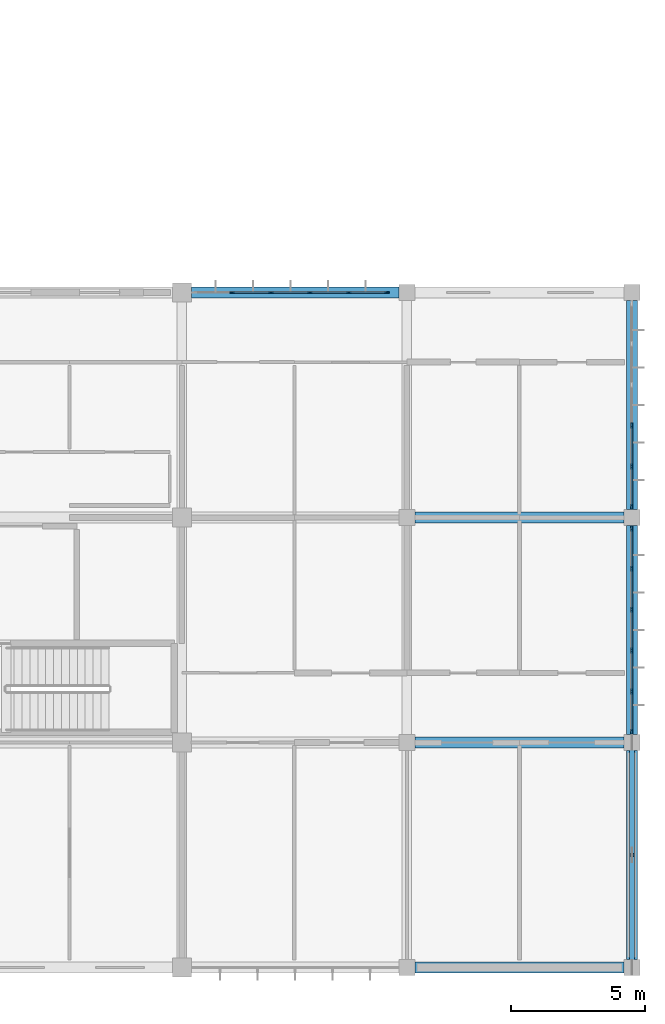
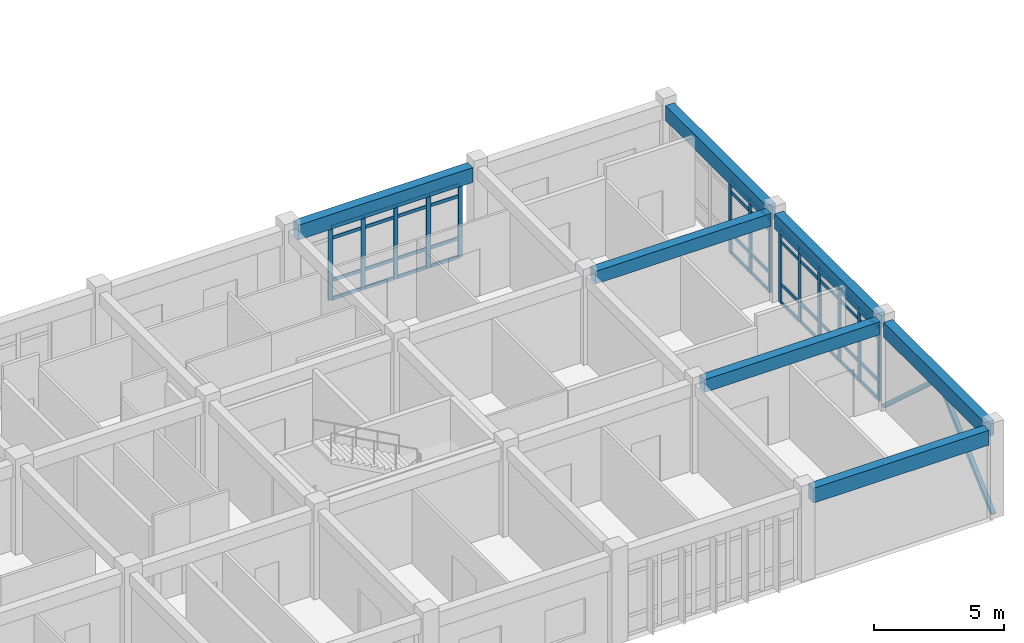
# One storey, part 60 of 144: 60 members, 7 beams, 3 elements without a shape of their own.
"""IFC4 building model written with IfcOpenShell, lengths in metres."""

from ifc_helpers import new_model, si_unit, direction, frame, origin, origin_2d, place, context, subcontext, project, spatial, rectangle, hollow_rectangle, extrude, material, layer, layer_set, material_profile, profile_set, type_object, element, aggregate, save


model = new_model("IFC4")

# Units and contexts
model_context = context("Model", 3, precision=1e-05, world=origin(), true_north=direction((0.0, 1.0)))
body_context = subcontext(model_context, "Body", "Model", "MODEL_VIEW")
ifc_project = project(units=[si_unit("LENGTHUNIT", "METRE"), si_unit("AREAUNIT", "SQUARE_METRE"), si_unit("VOLUMEUNIT", "CUBIC_METRE"), si_unit("PLANEANGLEUNIT", "RADIAN"), si_unit("MASSUNIT", "GRAM", prefix="KILO")], contexts=[model_context])

# Site, building, storey
site_placement = place(None, origin())
site = spatial("IfcSite", under=ifc_project, at=site_placement, CompositionType="ELEMENT")
building_placement = place(site_placement, origin())
building = spatial("IfcBuilding", under=site, at=building_placement, Name="Bramfleet General Hospital", CompositionType="ELEMENT")
storey_placement = place(building_placement, frame((0.0, 0.0, 4.800048828125)))
storey = spatial("IfcBuildingStorey", under=building, at=storey_placement, Name="L01", CompositionType="ELEMENT", Elevation=4.800048828125)

# Beams
ifc_material_1 = material(Name="Concrete C35/45", Category="concrete")
ifc_material_profile_1 = material_profile(ifc_material_1, rectangle(XDim=0.39990234375, YDim=0.60009765625, at=origin_2d()), Name="RC BM 600x400")
ifc_profile_set_1 = profile_set([ifc_material_profile_1], Name="Concrete C35/45")
beam_type_1 = type_object("IfcBeamType", Name="BM-RC600", PredefinedType="BEAM", material=ifc_profile_set_1)
for number, where, z_axis, x_axis, name in (
    (1, (159.89990234375, 8.39990234375, 3.849853515625), (1.0, 0.0, 0.0), (0.0, 1.0, 0.0), "L01 Grid Beam X 19-01"),
    (2, (159.89990234375, 16.800048828125, 3.849853515625), (1.0, 0.0, 0.0), (0.0, 1.0, 0.0), "L01 Grid Beam X 19-02"),
):
    element("IfcBeam", number, at=place(storey_placement, frame(where, z_axis=z_axis, x_axis=x_axis)), inside=storey, type_object=beam_type_1, Name=name, PredefinedType="BEAM", context=body_context, shape_type="SweptSolid", body=[
        extrude(rectangle(XDim=0.39990234375, YDim=0.60009765625, at=origin_2d()), origin(), (0.0, 0.0, 1.0), 7.800048828125),
    ])
ifc_material_profile_2 = material_profile(ifc_material_1, rectangle(XDim=0.39990234375, YDim=0.699951171875, at=origin_2d()), Name="RC SP 700x400")
ifc_profile_set_2 = profile_set([ifc_material_profile_2], Name="Concrete C35/45")
beam_type_2 = type_object("IfcBeamType", Name="BM-SP700", PredefinedType="SPANDREL", material=ifc_profile_set_2)
beam_1_placement = place(storey_placement, frame((151.550048828125, 25.199951171875, 3.800048828125), z_axis=(1.0, 0.0, 0.0), x_axis=(0.0, 1.0, 0.0)))
element("IfcBeam", 3, at=beam_1_placement, inside=storey, type_object=beam_type_2, Name="L01 Grid Beam X 18-03", PredefinedType="SPANDREL", context=body_context, shape_type="SweptSolid", body=[
    extrude(rectangle(XDim=0.39990234375, YDim=0.699951171875, at=origin_2d()), origin(), (0.0, 0.0, 1.0), 7.75),
])
for number, where, z_axis, x_axis, name in (
    (4, (159.89990234375, 0.0, 3.800048828125), (1.0, 0.0, 0.0), (0.0, 1.0, 0.0), "L01 Grid Beam X 19-00"),
    (5, (168.0, 0.300048828125, 3.800048828125), (0.0, 1.0, 0.0), (-1.0, 0.0, 0.0), "L01 Grid Beam Y 20-00"),
    (6, (168.0, 8.699951171875, 3.800048828125), (0.0, 1.0, 0.0), (-1.0, 0.0, 0.0), "L01 Grid Beam Y 20-01"),
):
    element("IfcBeam", number, at=place(storey_placement, frame(where, z_axis=z_axis, x_axis=x_axis)), inside=storey, type_object=beam_type_2, Name=name, PredefinedType="SPANDREL", context=body_context, shape_type="SweptSolid", body=[
        extrude(rectangle(XDim=0.39990234375, YDim=0.699951171875, at=origin_2d()), origin(), (0.0, 0.0, 1.0), 7.800048828125),
    ])
beam_2_placement = place(storey_placement, frame((168.0, 17.10009765625, 3.800048828125), z_axis=(0.0, 1.0, 0.0), x_axis=(-1.0, 0.0, 0.0)))
element("IfcBeam", 7, at=beam_2_placement, inside=storey, type_object=beam_type_2, Name="L01 Grid Beam Y 20-02", PredefinedType="SPANDREL", context=body_context, shape_type="SweptSolid", body=[
    extrude(rectangle(XDim=0.39990234375, YDim=0.699951171875, at=origin_2d()), origin(), (0.0, 0.0, 1.0), 7.7998046875),
])

# Curtain wall, members
ifc_material_2 = material(Name="Anodised aluminium and low-E triple glazing", Category="aluminium")
ifc_layer_1 = layer(ifc_material_2, 0.179931640625, Name="CWT-CW-15")
ifc_layer_set_1 = layer_set([ifc_layer_1], Name="Anodised aluminium and low-E triple glazing")
curtain_wall_type_1 = type_object("IfcCurtainWallType", Name="CWT-CW-15", PredefinedType="USERDEFINED", material=ifc_layer_set_1)
curtain_wall_1_placement = place(storey_placement, origin())
curtain_wall_1 = element("IfcCurtainWall", 8, at=curtain_wall_1_placement, inside=storey, type_object=curtain_wall_type_1, Name="L01 Curtain Wall 69", ObjectType="Stick curtain wall", PredefinedType="USERDEFINED")
ifc_material_3 = material(Name="Structural timber GL28h", Category="wood")
ifc_material_profile_3 = material_profile(ifc_material_3, rectangle(XDim=0.070068359375, YDim=0.18994140625, at=origin_2d()), Name="LARCH 190x70")
ifc_profile_set_3 = profile_set([ifc_material_profile_3], Name="Structural timber GL28h")
member_type_1 = type_object("IfcMemberType", Name="CWM-LARCH450", PredefinedType="MULLION", material=ifc_profile_set_3)
member_1_placement = place(storey_placement, frame((153.075927734375, 25.199951171875, 0.0), z_axis=(0.0, 0.0, 1.0), x_axis=(0.0, 1.0, 0.0)))
member_1 = element("IfcMember", 9, at=member_1_placement, type_object=member_type_1, Name="CW-15 mullion 2", PredefinedType="MULLION", context=body_context, shape_type="SweptSolid", body=[
    extrude(rectangle(XDim=0.070068359375, YDim=0.18994140625, at=origin_2d()), origin(), (0.0, 0.0, 1.0), 3.43994140625),
])
member_2_placement = place(storey_placement, frame((154.527099609375, 25.199951171875, 0.0), z_axis=(0.0, 0.0, 1.0), x_axis=(0.0, 1.0, 0.0)))
member_2 = element("IfcMember", 10, at=member_2_placement, type_object=member_type_1, Name="CW-15 mullion 3", PredefinedType="MULLION", context=body_context, shape_type="SweptSolid", body=[
    extrude(rectangle(XDim=0.070068359375, YDim=0.18994140625, at=origin_2d()), origin(), (0.0, 0.0, 1.0), 3.43994140625),
])
member_3_placement = place(storey_placement, frame((155.97802734375, 25.199951171875, 0.0), z_axis=(0.0, 0.0, 1.0), x_axis=(0.0, 1.0, 0.0)))
member_3 = element("IfcMember", 11, at=member_3_placement, type_object=member_type_1, Name="CW-15 mullion 4", PredefinedType="MULLION", context=body_context, shape_type="SweptSolid", body=[
    extrude(rectangle(XDim=0.070068359375, YDim=0.18994140625, at=origin_2d()), origin(), (0.0, 0.0, 1.0), 3.43994140625),
])
member_4_placement = place(storey_placement, frame((157.428955078125, 25.199951171875, 0.0), z_axis=(0.0, 0.0, 1.0), x_axis=(0.0, 1.0, 0.0)))
member_4 = element("IfcMember", 12, at=member_4_placement, type_object=member_type_1, Name="CW-15 mullion 5", PredefinedType="MULLION", context=body_context, shape_type="SweptSolid", body=[
    extrude(rectangle(XDim=0.070068359375, YDim=0.18994140625, at=origin_2d()), origin(), (0.0, 0.0, 1.0), 3.43994140625),
])
member_5_placement = place(storey_placement, frame((158.844970703125, 25.199951171875, 0.0), z_axis=(0.0, 0.0, 1.0), x_axis=(0.0, 1.0, 0.0)))
member_5 = element("IfcMember", 13, at=member_5_placement, type_object=member_type_1, Name="CW-15 mullion 6", PredefinedType="MULLION", context=body_context, shape_type="SweptSolid", body=[
    extrude(rectangle(XDim=0.070068359375, YDim=0.18994140625, at=origin_2d()), origin(), (0.0, 0.0, 1.0), 3.43994140625),
])

ifc_layer_2 = layer(ifc_material_2, 0.179931640625, Name="CWT-CW-16")
ifc_layer_set_2 = layer_set([ifc_layer_2], Name="Anodised aluminium and low-E triple glazing")
curtain_wall_type_2 = type_object("IfcCurtainWallType", Name="CWT-CW-16", PredefinedType="USERDEFINED", material=ifc_layer_set_2)
curtain_wall_2_placement = place(storey_placement, origin())
curtain_wall_2 = element("IfcCurtainWall", 14, at=curtain_wall_2_placement, inside=storey, type_object=curtain_wall_type_2, Name="L01 Curtain Wall 70", ObjectType="Stick curtain wall", PredefinedType="USERDEFINED")
member_6_placement = place(storey_placement, frame((168.0, 20.235107421875, 0.0), z_axis=(0.0, 0.0, 1.0), x_axis=(1.0, 0.0, 0.0)))
member_6 = element("IfcMember", 15, at=member_6_placement, type_object=member_type_1, Name="CW-16 mullion 4", PredefinedType="MULLION", context=body_context, shape_type="SweptSolid", body=[
    extrude(rectangle(XDim=0.070068359375, YDim=0.18994140625, at=origin_2d()), origin(), (0.0, 0.0, 1.0), 3.43994140625),
])
member_7_placement = place(storey_placement, frame((168.0, 18.705078125, 0.0), z_axis=(0.0, 0.0, 1.0), x_axis=(1.0, 0.0, 0.0)))
member_7 = element("IfcMember", 16, at=member_7_placement, type_object=member_type_1, Name="CW-16 mullion 5", PredefinedType="MULLION", context=body_context, shape_type="SweptSolid", body=[
    extrude(rectangle(XDim=0.070068359375, YDim=0.18994140625, at=origin_2d()), origin(), (0.0, 0.0, 1.0), 3.43994140625),
])
member_8_placement = place(storey_placement, frame((168.0, 17.2099609375, 0.0), z_axis=(0.0, 0.0, 1.0), x_axis=(1.0, 0.0, 0.0)))
member_8 = element("IfcMember", 17, at=member_8_placement, type_object=member_type_1, Name="CW-16 mullion 6", PredefinedType="MULLION", context=body_context, shape_type="SweptSolid", body=[
    extrude(rectangle(XDim=0.070068359375, YDim=0.18994140625, at=origin_2d()), origin(), (0.0, 0.0, 1.0), 3.43994140625),
])

ifc_layer_3 = layer(ifc_material_2, 0.179931640625, Name="CWT-CW-17")
ifc_layer_set_3 = layer_set([ifc_layer_3], Name="Anodised aluminium and low-E triple glazing")
curtain_wall_type_3 = type_object("IfcCurtainWallType", Name="CWT-CW-17", PredefinedType="USERDEFINED", material=ifc_layer_set_3)
curtain_wall_3_placement = place(storey_placement, origin())
curtain_wall_3 = element("IfcCurtainWall", 18, at=curtain_wall_3_placement, inside=storey, type_object=curtain_wall_type_3, Name="L01 Curtain Wall 71", ObjectType="Stick curtain wall", PredefinedType="USERDEFINED")
member_9_placement = place(storey_placement, frame((168.0, 16.389892578125, 0.0), z_axis=(0.0, 0.0, 1.0), x_axis=(1.0, 0.0, 0.0)))
member_9 = element("IfcMember", 19, at=member_9_placement, type_object=member_type_1, Name="CW-17 mullion 1", PredefinedType="MULLION", context=body_context, shape_type="SweptSolid", body=[
    extrude(rectangle(XDim=0.070068359375, YDim=0.18994140625, at=origin_2d()), origin(), (0.0, 0.0, 1.0), 3.43994140625),
])
member_10_placement = place(storey_placement, frame((168.0, 14.89501953125, 0.0), z_axis=(0.0, 0.0, 1.0), x_axis=(1.0, 0.0, 0.0)))
member_10 = element("IfcMember", 20, at=member_10_placement, type_object=member_type_1, Name="CW-17 mullion 2", PredefinedType="MULLION", context=body_context, shape_type="SweptSolid", body=[
    extrude(rectangle(XDim=0.070068359375, YDim=0.18994140625, at=origin_2d()), origin(), (0.0, 0.0, 1.0), 3.43994140625),
])
member_11_placement = place(storey_placement, frame((168.0, 13.364990234375, 0.0), z_axis=(0.0, 0.0, 1.0), x_axis=(1.0, 0.0, 0.0)))
member_11 = element("IfcMember", 21, at=member_11_placement, type_object=member_type_1, Name="CW-17 mullion 3", PredefinedType="MULLION", context=body_context, shape_type="SweptSolid", body=[
    extrude(rectangle(XDim=0.070068359375, YDim=0.18994140625, at=origin_2d()), origin(), (0.0, 0.0, 1.0), 3.43994140625),
])
member_12_placement = place(storey_placement, frame((168.0, 11.8349609375, 0.0), z_axis=(0.0, 0.0, 1.0), x_axis=(1.0, 0.0, 0.0)))
member_12 = element("IfcMember", 22, at=member_12_placement, type_object=member_type_1, Name="CW-17 mullion 4", PredefinedType="MULLION", context=body_context, shape_type="SweptSolid", body=[
    extrude(rectangle(XDim=0.070068359375, YDim=0.18994140625, at=origin_2d()), origin(), (0.0, 0.0, 1.0), 3.43994140625),
])
member_13_placement = place(storey_placement, frame((168.0, 10.304931640625, 0.0), z_axis=(0.0, 0.0, 1.0), x_axis=(1.0, 0.0, 0.0)))
member_13 = element("IfcMember", 23, at=member_13_placement, type_object=member_type_1, Name="CW-17 mullion 5", PredefinedType="MULLION", context=body_context, shape_type="SweptSolid", body=[
    extrude(rectangle(XDim=0.070068359375, YDim=0.18994140625, at=origin_2d()), origin(), (0.0, 0.0, 1.0), 3.43994140625),
])
member_14_placement = place(storey_placement, frame((168.0, 8.81005859375, 0.0), z_axis=(0.0, 0.0, 1.0), x_axis=(1.0, 0.0, 0.0)))
member_14 = element("IfcMember", 24, at=member_14_placement, type_object=member_type_1, Name="CW-17 mullion 6", PredefinedType="MULLION", context=body_context, shape_type="SweptSolid", body=[
    extrude(rectangle(XDim=0.070068359375, YDim=0.18994140625, at=origin_2d()), origin(), (0.0, 0.0, 1.0), 3.43994140625),
])

# Member
ifc_material_profile_4 = material_profile(ifc_material_3, rectangle(XDim=0.06494140625, YDim=0.14990234375, at=origin_2d()), Name="LARCH 150x65")
ifc_profile_set_4 = profile_set([ifc_material_profile_4], Name="Structural timber GL28h")
member_type_2 = type_object("IfcMemberType", Name="CWT-LARCH220", PredefinedType="USERDEFINED", material=ifc_profile_set_4)
member_15_placement = place(storey_placement, frame((153.111083984375, 25.199951171875, 0.032470703125), z_axis=(1.0, 0.0, 0.0), x_axis=(0.0, 1.0, 0.0)))
member_15 = element("IfcMember", 25, at=member_15_placement, type_object=member_type_2, Name="CW-15 transom 2.1", ObjectType="TRANSOM", PredefinedType="USERDEFINED", context=body_context, shape_type="SweptSolid", body=[
    extrude(rectangle(XDim=0.06494140625, YDim=0.14990234375, at=origin_2d()), origin(), (0.0, 0.0, 1.0), 1.380859375),
])

member_16_placement = place(storey_placement, frame((153.111083984375, 25.199951171875, 0.89990234375), z_axis=(1.0, 0.0, 0.0), x_axis=(0.0, 1.0, 0.0)))
member_16 = element("IfcMember", 26, at=member_16_placement, type_object=member_type_2, Name="CW-15 transom 2.2", ObjectType="TRANSOM", PredefinedType="USERDEFINED", context=body_context, shape_type="SweptSolid", body=[
    extrude(rectangle(XDim=0.06494140625, YDim=0.14990234375, at=origin_2d()), origin(), (0.0, 0.0, 1.0), 1.380859375),
])

member_17_placement = place(storey_placement, frame((153.111083984375, 25.199951171875, 2.889892578125), z_axis=(1.0, 0.0, 0.0), x_axis=(0.0, 1.0, 0.0)))
member_17 = element("IfcMember", 27, at=member_17_placement, type_object=member_type_2, Name="CW-15 transom 2.3", ObjectType="TRANSOM", PredefinedType="USERDEFINED", context=body_context, shape_type="SweptSolid", body=[
    extrude(rectangle(XDim=0.06494140625, YDim=0.14990234375, at=origin_2d()), origin(), (0.0, 0.0, 1.0), 1.380859375),
])

member_18_placement = place(storey_placement, frame((153.111083984375, 25.199951171875, 3.407470703125), z_axis=(1.0, 0.0, 0.0), x_axis=(0.0, 1.0, 0.0)))
member_18 = element("IfcMember", 28, at=member_18_placement, type_object=member_type_2, Name="CW-15 transom 2.4", ObjectType="TRANSOM", PredefinedType="USERDEFINED", context=body_context, shape_type="SweptSolid", body=[
    extrude(rectangle(XDim=0.06494140625, YDim=0.14990234375, at=origin_2d()), origin(), (0.0, 0.0, 1.0), 1.380859375),
])

member_19_placement = place(storey_placement, frame((154.56201171875, 25.199951171875, 0.032470703125), z_axis=(1.0, 0.0, 0.0), x_axis=(0.0, 1.0, 0.0)))
member_19 = element("IfcMember", 29, at=member_19_placement, type_object=member_type_2, Name="CW-15 transom 3.1", ObjectType="TRANSOM", PredefinedType="USERDEFINED", context=body_context, shape_type="SweptSolid", body=[
    extrude(rectangle(XDim=0.06494140625, YDim=0.14990234375, at=origin_2d()), origin(), (0.0, 0.0, 1.0), 1.381103515625),
])

member_20_placement = place(storey_placement, frame((154.56201171875, 25.199951171875, 0.89990234375), z_axis=(1.0, 0.0, 0.0), x_axis=(0.0, 1.0, 0.0)))
member_20 = element("IfcMember", 30, at=member_20_placement, type_object=member_type_2, Name="CW-15 transom 3.2", ObjectType="TRANSOM", PredefinedType="USERDEFINED", context=body_context, shape_type="SweptSolid", body=[
    extrude(rectangle(XDim=0.06494140625, YDim=0.14990234375, at=origin_2d()), origin(), (0.0, 0.0, 1.0), 1.381103515625),
])

member_21_placement = place(storey_placement, frame((154.56201171875, 25.199951171875, 2.889892578125), z_axis=(1.0, 0.0, 0.0), x_axis=(0.0, 1.0, 0.0)))
member_21 = element("IfcMember", 31, at=member_21_placement, type_object=member_type_2, Name="CW-15 transom 3.3", ObjectType="TRANSOM", PredefinedType="USERDEFINED", context=body_context, shape_type="SweptSolid", body=[
    extrude(rectangle(XDim=0.06494140625, YDim=0.14990234375, at=origin_2d()), origin(), (0.0, 0.0, 1.0), 1.381103515625),
])

member_22_placement = place(storey_placement, frame((154.56201171875, 25.199951171875, 3.407470703125), z_axis=(1.0, 0.0, 0.0), x_axis=(0.0, 1.0, 0.0)))
member_22 = element("IfcMember", 32, at=member_22_placement, type_object=member_type_2, Name="CW-15 transom 3.4", ObjectType="TRANSOM", PredefinedType="USERDEFINED", context=body_context, shape_type="SweptSolid", body=[
    extrude(rectangle(XDim=0.06494140625, YDim=0.14990234375, at=origin_2d()), origin(), (0.0, 0.0, 1.0), 1.381103515625),
])

member_23_placement = place(storey_placement, frame((156.012939453125, 25.199951171875, 0.032470703125), z_axis=(1.0, 0.0, 0.0), x_axis=(0.0, 1.0, 0.0)))
member_23 = element("IfcMember", 33, at=member_23_placement, type_object=member_type_2, Name="CW-15 transom 4.1", ObjectType="TRANSOM", PredefinedType="USERDEFINED", context=body_context, shape_type="SweptSolid", body=[
    extrude(rectangle(XDim=0.06494140625, YDim=0.14990234375, at=origin_2d()), origin(), (0.0, 0.0, 1.0), 1.381103515625),
])

member_24_placement = place(storey_placement, frame((156.012939453125, 25.199951171875, 0.89990234375), z_axis=(1.0, 0.0, 0.0), x_axis=(0.0, 1.0, 0.0)))
member_24 = element("IfcMember", 34, at=member_24_placement, type_object=member_type_2, Name="CW-15 transom 4.2", ObjectType="TRANSOM", PredefinedType="USERDEFINED", context=body_context, shape_type="SweptSolid", body=[
    extrude(rectangle(XDim=0.06494140625, YDim=0.14990234375, at=origin_2d()), origin(), (0.0, 0.0, 1.0), 1.381103515625),
])

member_25_placement = place(storey_placement, frame((156.012939453125, 25.199951171875, 2.889892578125), z_axis=(1.0, 0.0, 0.0), x_axis=(0.0, 1.0, 0.0)))
member_25 = element("IfcMember", 35, at=member_25_placement, type_object=member_type_2, Name="CW-15 transom 4.3", ObjectType="TRANSOM", PredefinedType="USERDEFINED", context=body_context, shape_type="SweptSolid", body=[
    extrude(rectangle(XDim=0.06494140625, YDim=0.14990234375, at=origin_2d()), origin(), (0.0, 0.0, 1.0), 1.381103515625),
])

member_26_placement = place(storey_placement, frame((156.012939453125, 25.199951171875, 3.407470703125), z_axis=(1.0, 0.0, 0.0), x_axis=(0.0, 1.0, 0.0)))
member_26 = element("IfcMember", 36, at=member_26_placement, type_object=member_type_2, Name="CW-15 transom 4.4", ObjectType="TRANSOM", PredefinedType="USERDEFINED", context=body_context, shape_type="SweptSolid", body=[
    extrude(rectangle(XDim=0.06494140625, YDim=0.14990234375, at=origin_2d()), origin(), (0.0, 0.0, 1.0), 1.381103515625),
])

member_27_placement = place(storey_placement, frame((157.464111328125, 25.199951171875, 0.032470703125), z_axis=(1.0, 0.0, 0.0), x_axis=(0.0, 1.0, 0.0)))
member_27 = element("IfcMember", 37, at=member_27_placement, type_object=member_type_2, Name="CW-15 transom 5.1", ObjectType="TRANSOM", PredefinedType="USERDEFINED", context=body_context, shape_type="SweptSolid", body=[
    extrude(rectangle(XDim=0.06494140625, YDim=0.14990234375, at=origin_2d()), origin(), (0.0, 0.0, 1.0), 1.345947265625),
])

member_28_placement = place(storey_placement, frame((157.464111328125, 25.199951171875, 0.89990234375), z_axis=(1.0, 0.0, 0.0), x_axis=(0.0, 1.0, 0.0)))
member_28 = element("IfcMember", 38, at=member_28_placement, type_object=member_type_2, Name="CW-15 transom 5.2", ObjectType="TRANSOM", PredefinedType="USERDEFINED", context=body_context, shape_type="SweptSolid", body=[
    extrude(rectangle(XDim=0.06494140625, YDim=0.14990234375, at=origin_2d()), origin(), (0.0, 0.0, 1.0), 1.345947265625),
])

member_29_placement = place(storey_placement, frame((157.464111328125, 25.199951171875, 2.889892578125), z_axis=(1.0, 0.0, 0.0), x_axis=(0.0, 1.0, 0.0)))
member_29 = element("IfcMember", 39, at=member_29_placement, type_object=member_type_2, Name="CW-15 transom 5.3", ObjectType="TRANSOM", PredefinedType="USERDEFINED", context=body_context, shape_type="SweptSolid", body=[
    extrude(rectangle(XDim=0.06494140625, YDim=0.14990234375, at=origin_2d()), origin(), (0.0, 0.0, 1.0), 1.345947265625),
])

member_30_placement = place(storey_placement, frame((157.464111328125, 25.199951171875, 3.407470703125), z_axis=(1.0, 0.0, 0.0), x_axis=(0.0, 1.0, 0.0)))
member_30 = element("IfcMember", 40, at=member_30_placement, type_object=member_type_2, Name="CW-15 transom 5.4", ObjectType="TRANSOM", PredefinedType="USERDEFINED", context=body_context, shape_type="SweptSolid", body=[
    extrude(rectangle(XDim=0.06494140625, YDim=0.14990234375, at=origin_2d()), origin(), (0.0, 0.0, 1.0), 1.345947265625),
])

aggregate(curtain_wall_1, [member_1, member_2, member_3, member_4, member_5, member_15, member_16, member_17, member_18, member_19, member_20, member_21, member_22, member_23, member_24, member_25, member_26, member_27, member_28, member_29, member_30])

member_31_placement = place(storey_placement, frame((168.0, 20.199951171875, 0.032470703125), z_axis=(0.0, -1.0, 0.0), x_axis=(1.0, 0.0, 0.0)))
member_31 = element("IfcMember", 41, at=member_31_placement, type_object=member_type_2, Name="CW-16 transom 4.1", ObjectType="TRANSOM", PredefinedType="USERDEFINED", context=body_context, shape_type="SweptSolid", body=[
    extrude(rectangle(XDim=0.06494140625, YDim=0.14990234375, at=origin_2d()), origin(), (0.0, 0.0, 1.0), 1.4599609375),
])

member_32_placement = place(storey_placement, frame((168.0, 20.199951171875, 0.89990234375), z_axis=(0.0, -1.0, 0.0), x_axis=(1.0, 0.0, 0.0)))
member_32 = element("IfcMember", 42, at=member_32_placement, type_object=member_type_2, Name="CW-16 transom 4.2", ObjectType="TRANSOM", PredefinedType="USERDEFINED", context=body_context, shape_type="SweptSolid", body=[
    extrude(rectangle(XDim=0.06494140625, YDim=0.14990234375, at=origin_2d()), origin(), (0.0, 0.0, 1.0), 1.4599609375),
])

member_33_placement = place(storey_placement, frame((168.0, 20.199951171875, 2.889892578125), z_axis=(0.0, -1.0, 0.0), x_axis=(1.0, 0.0, 0.0)))
member_33 = element("IfcMember", 43, at=member_33_placement, type_object=member_type_2, Name="CW-16 transom 4.3", ObjectType="TRANSOM", PredefinedType="USERDEFINED", context=body_context, shape_type="SweptSolid", body=[
    extrude(rectangle(XDim=0.06494140625, YDim=0.14990234375, at=origin_2d()), origin(), (0.0, 0.0, 1.0), 1.4599609375),
])

member_34_placement = place(storey_placement, frame((168.0, 20.199951171875, 3.407470703125), z_axis=(0.0, -1.0, 0.0), x_axis=(1.0, 0.0, 0.0)))
member_34 = element("IfcMember", 44, at=member_34_placement, type_object=member_type_2, Name="CW-16 transom 4.4", ObjectType="TRANSOM", PredefinedType="USERDEFINED", context=body_context, shape_type="SweptSolid", body=[
    extrude(rectangle(XDim=0.06494140625, YDim=0.14990234375, at=origin_2d()), origin(), (0.0, 0.0, 1.0), 1.4599609375),
])

member_35_placement = place(storey_placement, frame((168.0, 18.669921875, 0.032470703125), z_axis=(0.0, -1.0, 0.0), x_axis=(1.0, 0.0, 0.0)))
member_35 = element("IfcMember", 45, at=member_35_placement, type_object=member_type_2, Name="CW-16 transom 5.1", ObjectType="TRANSOM", PredefinedType="USERDEFINED", context=body_context, shape_type="SweptSolid", body=[
    extrude(rectangle(XDim=0.06494140625, YDim=0.14990234375, at=origin_2d()), origin(), (0.0, 0.0, 1.0), 1.4248046875),
])

member_36_placement = place(storey_placement, frame((168.0, 18.669921875, 0.89990234375), z_axis=(0.0, -1.0, 0.0), x_axis=(1.0, 0.0, 0.0)))
member_36 = element("IfcMember", 46, at=member_36_placement, type_object=member_type_2, Name="CW-16 transom 5.2", ObjectType="TRANSOM", PredefinedType="USERDEFINED", context=body_context, shape_type="SweptSolid", body=[
    extrude(rectangle(XDim=0.06494140625, YDim=0.14990234375, at=origin_2d()), origin(), (0.0, 0.0, 1.0), 1.4248046875),
])

member_37_placement = place(storey_placement, frame((168.0, 18.669921875, 2.889892578125), z_axis=(0.0, -1.0, 0.0), x_axis=(1.0, 0.0, 0.0)))
member_37 = element("IfcMember", 47, at=member_37_placement, type_object=member_type_2, Name="CW-16 transom 5.3", ObjectType="TRANSOM", PredefinedType="USERDEFINED", context=body_context, shape_type="SweptSolid", body=[
    extrude(rectangle(XDim=0.06494140625, YDim=0.14990234375, at=origin_2d()), origin(), (0.0, 0.0, 1.0), 1.4248046875),
])

member_38_placement = place(storey_placement, frame((168.0, 18.669921875, 3.407470703125), z_axis=(0.0, -1.0, 0.0), x_axis=(1.0, 0.0, 0.0)))
member_38 = element("IfcMember", 48, at=member_38_placement, type_object=member_type_2, Name="CW-16 transom 5.4", ObjectType="TRANSOM", PredefinedType="USERDEFINED", context=body_context, shape_type="SweptSolid", body=[
    extrude(rectangle(XDim=0.06494140625, YDim=0.14990234375, at=origin_2d()), origin(), (0.0, 0.0, 1.0), 1.4248046875),
])

aggregate(curtain_wall_2, [member_6, member_7, member_8, member_31, member_32, member_33, member_34, member_35, member_36, member_37, member_38])

member_39_placement = place(storey_placement, frame((168.0, 16.35498046875, 0.032470703125), z_axis=(0.0, -1.0, 0.0), x_axis=(1.0, 0.0, 0.0)))
member_39 = element("IfcMember", 49, at=member_39_placement, type_object=member_type_2, Name="CW-17 transom 1.1", ObjectType="TRANSOM", PredefinedType="USERDEFINED", context=body_context, shape_type="SweptSolid", body=[
    extrude(rectangle(XDim=0.06494140625, YDim=0.14990234375, at=origin_2d()), origin(), (0.0, 0.0, 1.0), 1.425048828125),
])

member_40_placement = place(storey_placement, frame((168.0, 16.35498046875, 0.89990234375), z_axis=(0.0, -1.0, 0.0), x_axis=(1.0, 0.0, 0.0)))
member_40 = element("IfcMember", 50, at=member_40_placement, type_object=member_type_2, Name="CW-17 transom 1.2", ObjectType="TRANSOM", PredefinedType="USERDEFINED", context=body_context, shape_type="SweptSolid", body=[
    extrude(rectangle(XDim=0.06494140625, YDim=0.14990234375, at=origin_2d()), origin(), (0.0, 0.0, 1.0), 1.425048828125),
])

member_41_placement = place(storey_placement, frame((168.0, 16.35498046875, 2.889892578125), z_axis=(0.0, -1.0, 0.0), x_axis=(1.0, 0.0, 0.0)))
member_41 = element("IfcMember", 51, at=member_41_placement, type_object=member_type_2, Name="CW-17 transom 1.3", ObjectType="TRANSOM", PredefinedType="USERDEFINED", context=body_context, shape_type="SweptSolid", body=[
    extrude(rectangle(XDim=0.06494140625, YDim=0.14990234375, at=origin_2d()), origin(), (0.0, 0.0, 1.0), 1.425048828125),
])

member_42_placement = place(storey_placement, frame((168.0, 16.35498046875, 3.407470703125), z_axis=(0.0, -1.0, 0.0), x_axis=(1.0, 0.0, 0.0)))
member_42 = element("IfcMember", 52, at=member_42_placement, type_object=member_type_2, Name="CW-17 transom 1.4", ObjectType="TRANSOM", PredefinedType="USERDEFINED", context=body_context, shape_type="SweptSolid", body=[
    extrude(rectangle(XDim=0.06494140625, YDim=0.14990234375, at=origin_2d()), origin(), (0.0, 0.0, 1.0), 1.425048828125),
])

member_43_placement = place(storey_placement, frame((168.0, 14.860107421875, 0.032470703125), z_axis=(0.0, -1.0, 0.0), x_axis=(1.0, 0.0, 0.0)))
member_43 = element("IfcMember", 53, at=member_43_placement, type_object=member_type_2, Name="CW-17 transom 2.1", ObjectType="TRANSOM", PredefinedType="USERDEFINED", context=body_context, shape_type="SweptSolid", body=[
    extrude(rectangle(XDim=0.06494140625, YDim=0.14990234375, at=origin_2d()), origin(), (0.0, 0.0, 1.0), 1.460205078125),
])

member_44_placement = place(storey_placement, frame((168.0, 14.860107421875, 0.89990234375), z_axis=(0.0, -1.0, 0.0), x_axis=(1.0, 0.0, 0.0)))
member_44 = element("IfcMember", 54, at=member_44_placement, type_object=member_type_2, Name="CW-17 transom 2.2", ObjectType="TRANSOM", PredefinedType="USERDEFINED", context=body_context, shape_type="SweptSolid", body=[
    extrude(rectangle(XDim=0.06494140625, YDim=0.14990234375, at=origin_2d()), origin(), (0.0, 0.0, 1.0), 1.460205078125),
])

member_45_placement = place(storey_placement, frame((168.0, 14.860107421875, 2.889892578125), z_axis=(0.0, -1.0, 0.0), x_axis=(1.0, 0.0, 0.0)))
member_45 = element("IfcMember", 55, at=member_45_placement, type_object=member_type_2, Name="CW-17 transom 2.3", ObjectType="TRANSOM", PredefinedType="USERDEFINED", context=body_context, shape_type="SweptSolid", body=[
    extrude(rectangle(XDim=0.06494140625, YDim=0.14990234375, at=origin_2d()), origin(), (0.0, 0.0, 1.0), 1.460205078125),
])

member_46_placement = place(storey_placement, frame((168.0, 14.860107421875, 3.407470703125), z_axis=(0.0, -1.0, 0.0), x_axis=(1.0, 0.0, 0.0)))
member_46 = element("IfcMember", 56, at=member_46_placement, type_object=member_type_2, Name="CW-17 transom 2.4", ObjectType="TRANSOM", PredefinedType="USERDEFINED", context=body_context, shape_type="SweptSolid", body=[
    extrude(rectangle(XDim=0.06494140625, YDim=0.14990234375, at=origin_2d()), origin(), (0.0, 0.0, 1.0), 1.460205078125),
])

member_47_placement = place(storey_placement, frame((168.0, 13.330078125, 0.032470703125), z_axis=(0.0, -1.0, 0.0), x_axis=(1.0, 0.0, 0.0)))
member_47 = element("IfcMember", 57, at=member_47_placement, type_object=member_type_2, Name="CW-17 transom 3.1", ObjectType="TRANSOM", PredefinedType="USERDEFINED", context=body_context, shape_type="SweptSolid", body=[
    extrude(rectangle(XDim=0.06494140625, YDim=0.14990234375, at=origin_2d()), origin(), (0.0, 0.0, 1.0), 1.4599609375),
])

member_48_placement = place(storey_placement, frame((168.0, 13.330078125, 0.89990234375), z_axis=(0.0, -1.0, 0.0), x_axis=(1.0, 0.0, 0.0)))
member_48 = element("IfcMember", 58, at=member_48_placement, type_object=member_type_2, Name="CW-17 transom 3.2", ObjectType="TRANSOM", PredefinedType="USERDEFINED", context=body_context, shape_type="SweptSolid", body=[
    extrude(rectangle(XDim=0.06494140625, YDim=0.14990234375, at=origin_2d()), origin(), (0.0, 0.0, 1.0), 1.4599609375),
])

member_49_placement = place(storey_placement, frame((168.0, 13.330078125, 2.889892578125), z_axis=(0.0, -1.0, 0.0), x_axis=(1.0, 0.0, 0.0)))
member_49 = element("IfcMember", 59, at=member_49_placement, type_object=member_type_2, Name="CW-17 transom 3.3", ObjectType="TRANSOM", PredefinedType="USERDEFINED", context=body_context, shape_type="SweptSolid", body=[
    extrude(rectangle(XDim=0.06494140625, YDim=0.14990234375, at=origin_2d()), origin(), (0.0, 0.0, 1.0), 1.4599609375),
])

member_50_placement = place(storey_placement, frame((168.0, 13.330078125, 3.407470703125), z_axis=(0.0, -1.0, 0.0), x_axis=(1.0, 0.0, 0.0)))
member_50 = element("IfcMember", 60, at=member_50_placement, type_object=member_type_2, Name="CW-17 transom 3.4", ObjectType="TRANSOM", PredefinedType="USERDEFINED", context=body_context, shape_type="SweptSolid", body=[
    extrude(rectangle(XDim=0.06494140625, YDim=0.14990234375, at=origin_2d()), origin(), (0.0, 0.0, 1.0), 1.4599609375),
])

member_51_placement = place(storey_placement, frame((168.0, 11.800048828125, 0.032470703125), z_axis=(0.0, -1.0, 0.0), x_axis=(1.0, 0.0, 0.0)))
member_51 = element("IfcMember", 61, at=member_51_placement, type_object=member_type_2, Name="CW-17 transom 4.1", ObjectType="TRANSOM", PredefinedType="USERDEFINED", context=body_context, shape_type="SweptSolid", body=[
    extrude(rectangle(XDim=0.06494140625, YDim=0.14990234375, at=origin_2d()), origin(), (0.0, 0.0, 1.0), 1.4599609375),
])

member_52_placement = place(storey_placement, frame((168.0, 11.800048828125, 0.89990234375), z_axis=(0.0, -1.0, 0.0), x_axis=(1.0, 0.0, 0.0)))
member_52 = element("IfcMember", 62, at=member_52_placement, type_object=member_type_2, Name="CW-17 transom 4.2", ObjectType="TRANSOM", PredefinedType="USERDEFINED", context=body_context, shape_type="SweptSolid", body=[
    extrude(rectangle(XDim=0.06494140625, YDim=0.14990234375, at=origin_2d()), origin(), (0.0, 0.0, 1.0), 1.4599609375),
])

member_53_placement = place(storey_placement, frame((168.0, 11.800048828125, 2.889892578125), z_axis=(0.0, -1.0, 0.0), x_axis=(1.0, 0.0, 0.0)))
member_53 = element("IfcMember", 63, at=member_53_placement, type_object=member_type_2, Name="CW-17 transom 4.3", ObjectType="TRANSOM", PredefinedType="USERDEFINED", context=body_context, shape_type="SweptSolid", body=[
    extrude(rectangle(XDim=0.06494140625, YDim=0.14990234375, at=origin_2d()), origin(), (0.0, 0.0, 1.0), 1.4599609375),
])

member_54_placement = place(storey_placement, frame((168.0, 11.800048828125, 3.407470703125), z_axis=(0.0, -1.0, 0.0), x_axis=(1.0, 0.0, 0.0)))
member_54 = element("IfcMember", 64, at=member_54_placement, type_object=member_type_2, Name="CW-17 transom 4.4", ObjectType="TRANSOM", PredefinedType="USERDEFINED", context=body_context, shape_type="SweptSolid", body=[
    extrude(rectangle(XDim=0.06494140625, YDim=0.14990234375, at=origin_2d()), origin(), (0.0, 0.0, 1.0), 1.4599609375),
])

member_55_placement = place(storey_placement, frame((168.0, 10.27001953125, 0.032470703125), z_axis=(0.0, -1.0, 0.0), x_axis=(1.0, 0.0, 0.0)))
member_55 = element("IfcMember", 65, at=member_55_placement, type_object=member_type_2, Name="CW-17 transom 5.1", ObjectType="TRANSOM", PredefinedType="USERDEFINED", context=body_context, shape_type="SweptSolid", body=[
    extrude(rectangle(XDim=0.06494140625, YDim=0.14990234375, at=origin_2d()), origin(), (0.0, 0.0, 1.0), 1.425048828125),
])

member_56_placement = place(storey_placement, frame((168.0, 10.27001953125, 0.89990234375), z_axis=(0.0, -1.0, 0.0), x_axis=(1.0, 0.0, 0.0)))
member_56 = element("IfcMember", 66, at=member_56_placement, type_object=member_type_2, Name="CW-17 transom 5.2", ObjectType="TRANSOM", PredefinedType="USERDEFINED", context=body_context, shape_type="SweptSolid", body=[
    extrude(rectangle(XDim=0.06494140625, YDim=0.14990234375, at=origin_2d()), origin(), (0.0, 0.0, 1.0), 1.425048828125),
])

member_57_placement = place(storey_placement, frame((168.0, 10.27001953125, 2.889892578125), z_axis=(0.0, -1.0, 0.0), x_axis=(1.0, 0.0, 0.0)))
member_57 = element("IfcMember", 67, at=member_57_placement, type_object=member_type_2, Name="CW-17 transom 5.3", ObjectType="TRANSOM", PredefinedType="USERDEFINED", context=body_context, shape_type="SweptSolid", body=[
    extrude(rectangle(XDim=0.06494140625, YDim=0.14990234375, at=origin_2d()), origin(), (0.0, 0.0, 1.0), 1.425048828125),
])

member_58_placement = place(storey_placement, frame((168.0, 10.27001953125, 3.407470703125), z_axis=(0.0, -1.0, 0.0), x_axis=(1.0, 0.0, 0.0)))
member_58 = element("IfcMember", 68, at=member_58_placement, type_object=member_type_2, Name="CW-17 transom 5.4", ObjectType="TRANSOM", PredefinedType="USERDEFINED", context=body_context, shape_type="SweptSolid", body=[
    extrude(rectangle(XDim=0.06494140625, YDim=0.14990234375, at=origin_2d()), origin(), (0.0, 0.0, 1.0), 1.425048828125),
])

aggregate(curtain_wall_3, [member_9, member_10, member_11, member_12, member_13, member_14, member_39, member_40, member_41, member_42, member_43, member_44, member_45, member_46, member_47, member_48, member_49, member_50, member_51, member_52, member_53, member_54, member_55, member_56, member_57, member_58])

# Members
ifc_material_4 = material(Name="Steel S355", Category="steel")
ifc_material_profile_5 = material_profile(ifc_material_4, hollow_rectangle(XDim=0.179931640625, YDim=0.179931640625, WallThickness=0.010009765625, at=origin_2d()), Name="SHS 180x180x10.0")
ifc_profile_set_5 = profile_set([ifc_material_profile_5], Name="Steel S355")
member_type_3 = type_object("IfcMemberType", Name="MEM-BR-SHS180", PredefinedType="BRACE", material=ifc_profile_set_5)
for number, where, z_axis, x_axis, name in (
    (69, (168.0, 0.0, -0.02001953125), (0.0, 0.739770764389, 0.672858986828), (-1.0, 0.0, 0.0), "L01 Chevron Brace 5A"),
    (70, (168.0, 8.39990234375, -0.02001953125), (0.0, -0.739770764389, 0.672858986828), (1.0, 0.0, 0.0), "L01 Chevron Brace 5B"),
):
    element("IfcMember", number, at=place(storey_placement, frame(where, z_axis=z_axis, x_axis=x_axis)), inside=storey, type_object=member_type_3, Name=name, PredefinedType="BRACE", context=body_context, shape_type="SweptSolid", body=[
        extrude(hollow_rectangle(XDim=0.179931640625, YDim=0.179931640625, WallThickness=0.010009765625, at=origin_2d()), origin(), (0.0, 0.0, 1.0), 5.677490234375),
    ])

save(model, "model.ifc")
